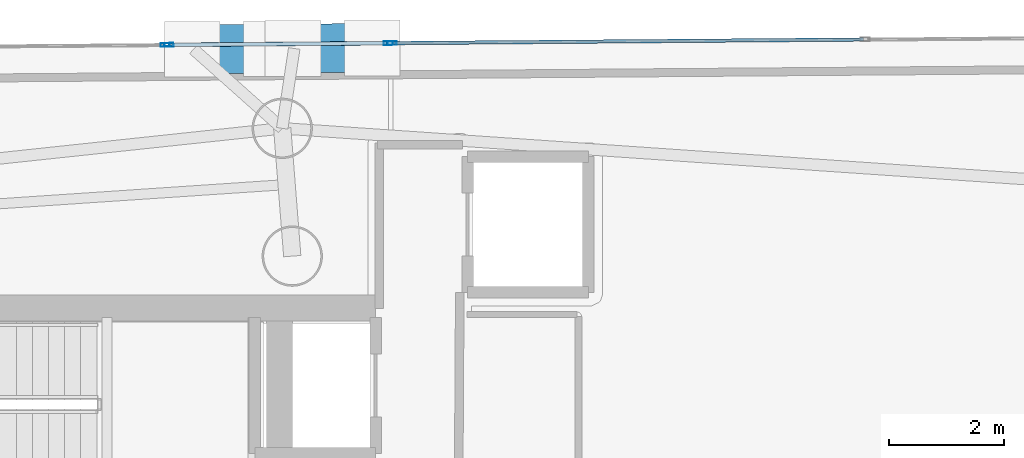
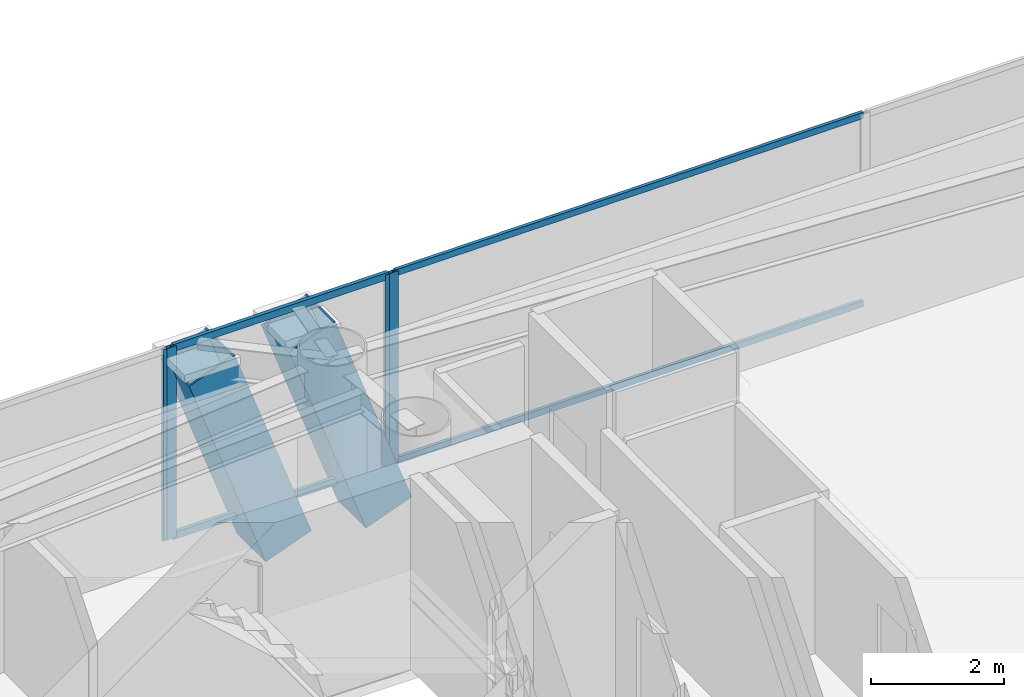
# One storey, part 11 of 21: 10 members, 3 elements without a shape of their own.
"""IFC4 building model written with IfcOpenShell, lengths in metres."""

from ifc_helpers import new_model, si_unit, direction, frame, origin, origin_2d, place, context, subcontext, project, spatial, hollow_rectangle, extrude, material, layer, layer_set, material_profile, profile_set, type_object, element, aggregate, save


model = new_model("IFC4")

# Units and contexts
model_context = context("Model", 3, precision=1e-05, world=origin(), true_north=direction((0.0, 1.0)))
body_context = subcontext(model_context, "Body", "Model", "MODEL_VIEW")
ifc_project = project(units=[si_unit("LENGTHUNIT", "METRE"), si_unit("AREAUNIT", "SQUARE_METRE"), si_unit("VOLUMEUNIT", "CUBIC_METRE"), si_unit("PLANEANGLEUNIT", "RADIAN"), si_unit("MASSUNIT", "GRAM", prefix="KILO")], contexts=[model_context])

# Site, building, storey
site_placement = place(None, origin())
site = spatial("IfcSite", under=ifc_project, at=site_placement, CompositionType="ELEMENT")
building_placement = place(site_placement, origin())
building = spatial("IfcBuilding", under=site, at=building_placement, Name="Qianvela Tower", CompositionType="ELEMENT")
storey_placement = place(building_placement, frame((0.0, 0.0, 253.800048828125)))
storey = spatial("IfcBuildingStorey", under=building, at=storey_placement, Name="L65", CompositionType="ELEMENT", Elevation=253.800048828125)

# Curtain wall, members
ifc_material_1 = material(Name="Anodised Architectural Aluminium and Insulated Spandrel Panel", Category="aluminium")
ifc_layer_1 = layer(ifc_material_1, 0.179931640625)
ifc_layer_set_1 = layer_set([ifc_layer_1], Name="Anodised Architectural Aluminium and Insulated Spandrel Panel")
curtain_wall_type_1 = type_object("IfcCurtainWallType", Name="CW-BRACEBAY", PredefinedType="USERDEFINED", material=ifc_layer_set_1)
curtain_wall_1_placement = place(storey_placement, origin())
curtain_wall_1 = element("IfcCurtainWall", 1, at=curtain_wall_1_placement, inside=storey, type_object=curtain_wall_type_1, Name="L65 CW-BRACEBAY Curtain Wall 02B", ObjectType="CURTAIN_WALL_SYSTEM", PredefinedType="USERDEFINED")
ifc_material_2 = material(Name="Anodised Architectural Aluminium 6063-T6", Category="aluminium")
ifc_material_profile_1 = material_profile(ifc_material_2, hollow_rectangle(XDim=0.06494140625, YDim=0.159912109375, WallThickness=0.0048828125, at=origin_2d()), Name="ALU-MULL-65x160")
ifc_profile_set_1 = profile_set([ifc_material_profile_1], Name="Anodised Architectural Aluminium 6063-T6")
member_type_1 = type_object("IfcMemberType", Name="CW-BRACEBAY-MULL", PredefinedType="MULLION", material=ifc_profile_set_1)
member_1_placement = place(storey_placement, frame((40.0693359375, 37.254150390625, 0.0), z_axis=(0.0, 0.0, 1.0), x_axis=(0.007783469983, -0.999969708339, 0.0)))
member_1 = element("IfcMember", 2, at=member_1_placement, type_object=member_type_1, Name="CW-9 mullion 1", PredefinedType="MULLION", context=body_context, shape_type="SweptSolid", body=[
    extrude(hollow_rectangle(XDim=0.06494140625, YDim=0.159912109375, WallThickness=0.0048828125, at=origin_2d()), origin(), (0.0, 0.0, 1.0), 3.52001953125),
])
member_2_placement = place(storey_placement, frame((36.25439453125, 37.224609375, 0.0), z_axis=(0.0, 0.0, 1.0), x_axis=(0.007783469983, -0.999969708339, 0.0)))
member_2 = element("IfcMember", 3, at=member_2_placement, type_object=member_type_1, Name="CW-9 mullion 2", PredefinedType="MULLION", context=body_context, shape_type="SweptSolid", body=[
    extrude(hollow_rectangle(XDim=0.06494140625, YDim=0.159912109375, WallThickness=0.0048828125, at=origin_2d()), origin(), (0.0, 0.0, 1.0), 3.52001953125),
])
ifc_material_3 = material(Name="Anodised Architectural Aluminium 6063-T6", Category="aluminium")
ifc_material_profile_2 = material_profile(ifc_material_3, hollow_rectangle(XDim=0.06494140625, YDim=0.1298828125, WallThickness=0.00439453125, at=origin_2d()), Name="ALU-TRAN-65x130")
ifc_profile_set_2 = profile_set([ifc_material_profile_2], Name="Anodised Architectural Aluminium 6063-T6")
member_type_2 = type_object("IfcMemberType", Name="CW-BRACEBAY-TRAN", PredefinedType="USERDEFINED", material=ifc_profile_set_2)
member_3_placement = place(storey_placement, frame((40.036865234375, 37.25390625, 0.032470703125), z_axis=(-0.999969986372, -0.007747667711, 0.0), x_axis=(0.007747667711, -0.999969986372, 0.0)))
member_3 = element("IfcMember", 4, at=member_3_placement, type_object=member_type_2, Name="CW-9 transom 1.1", ObjectType="TRANSOM", PredefinedType="USERDEFINED", context=body_context, shape_type="SweptSolid", body=[
    extrude(hollow_rectangle(XDim=0.06494140625, YDim=0.1298828125, WallThickness=0.00439453125, at=origin_2d()), origin(), (0.0, 0.0, 1.0), 3.749755859375),
])
member_4_placement = place(storey_placement, frame((40.036865234375, 37.25390625, 3.487548828125), z_axis=(-0.999969986372, -0.007747667711, 0.0), x_axis=(0.007747667711, -0.999969986372, 0.0)))
member_4 = element("IfcMember", 5, at=member_4_placement, type_object=member_type_2, Name="CW-9 transom 1.2", ObjectType="TRANSOM", PredefinedType="USERDEFINED", context=body_context, shape_type="SweptSolid", body=[
    extrude(hollow_rectangle(XDim=0.06494140625, YDim=0.1298828125, WallThickness=0.00439453125, at=origin_2d()), origin(), (0.0, 0.0, 1.0), 3.749755859375),
])
aggregate(curtain_wall_1, [member_1, member_2, member_3, member_4])

# Curtain wall, member
ifc_material_4 = material(Name="Anodised Architectural Aluminium and Low-E Glass", Category="aluminium")
ifc_layer_2 = layer(ifc_material_4, 0.159912109375)
ifc_layer_set_2 = layer_set([ifc_layer_2], Name="Anodised Architectural Aluminium and Low-E Glass")
curtain_wall_type_2 = type_object("IfcCurtainWallType", Name="CW-COLIV-Z56", PredefinedType="USERDEFINED", material=ifc_layer_set_2)
curtain_wall_2_placement = place(storey_placement, origin())
curtain_wall_2 = element("IfcCurtainWall", 6, at=curtain_wall_2_placement, inside=storey, type_object=curtain_wall_type_2, Name="L65 CW-COLIV-Z56 Curtain Wall 02A", ObjectType="CURTAIN_WALL_SYSTEM", PredefinedType="USERDEFINED")
ifc_material_5 = material(Name="Anodised Architectural Aluminium 6063-T6", Category="aluminium")
ifc_material_profile_3 = material_profile(ifc_material_5, hollow_rectangle(XDim=0.06494140625, YDim=0.159912109375, WallThickness=0.0048828125, at=origin_2d()), Name="ALU-MULL-65x160")
ifc_profile_set_3 = profile_set([ifc_material_profile_3], Name="Anodised Architectural Aluminium 6063-T6")
member_type_3 = type_object("IfcMemberType", Name="CW-COLIV-Z56-MULL", PredefinedType="MULLION", material=ifc_profile_set_3)
member_5_placement = place(storey_placement, frame((40.13427734375, 37.254638671875, 0.0), z_axis=(0.0, 0.0, 1.0), x_axis=(0.00780399115, -0.999969548397, 0.0)))
member_5 = element("IfcMember", 7, at=member_5_placement, type_object=member_type_3, Name="CW-5 mullion 3", PredefinedType="MULLION", context=body_context, shape_type="SweptSolid", body=[
    extrude(hollow_rectangle(XDim=0.06494140625, YDim=0.159912109375, WallThickness=0.0048828125, at=origin_2d()), origin(), (0.0, 0.0, 1.0), 3.52001953125),
])

curtain_wall_3_placement = place(storey_placement, origin())
curtain_wall_3 = element("IfcCurtainWall", 8, at=curtain_wall_3_placement, inside=storey, type_object=curtain_wall_type_2, Name="L65 CW-COLIV-Z56 Curtain Wall 02C", ObjectType="CURTAIN_WALL_SYSTEM", PredefinedType="USERDEFINED")
member_6_placement = place(storey_placement, frame((36.189453125, 37.22412109375, 0.0), z_axis=(0.0, 0.0, 1.0), x_axis=(0.007803521427, -0.999969552063, 0.0)))
member_6 = element("IfcMember", 9, at=member_6_placement, type_object=member_type_3, Name="CW-5 mullion 1", PredefinedType="MULLION", context=body_context, shape_type="SweptSolid", body=[
    extrude(hollow_rectangle(XDim=0.06494140625, YDim=0.159912109375, WallThickness=0.0048828125, at=origin_2d()), origin(), (0.0, 0.0, 1.0), 3.52001953125),
])
aggregate(curtain_wall_3, [member_6])

# Member
ifc_material_6 = material(Name="Anodised Architectural Aluminium 6063-T6", Category="aluminium")
ifc_material_profile_4 = material_profile(ifc_material_6, hollow_rectangle(XDim=0.06005859375, YDim=0.114990234375, WallThickness=0.00390625, at=origin_2d()), Name="ALU-TRAN-60x115")
ifc_profile_set_4 = profile_set([ifc_material_profile_4], Name="Anodised Architectural Aluminium 6063-T6")
member_type_4 = type_object("IfcMemberType", Name="CW-COLIV-Z56-TRAN", PredefinedType="USERDEFINED", material=ifc_profile_set_4)
member_7_placement = place(storey_placement, frame((48.334228515625, 37.31884765625, 0.030029296875), z_axis=(-0.999969565859, -0.007801753406, 0.0), x_axis=(0.007801753406, -0.999969565859, 0.0)))
member_7 = element("IfcMember", 10, at=member_7_placement, type_object=member_type_4, Name="CW-5 transom 2.1", ObjectType="TRANSOM", PredefinedType="USERDEFINED", context=body_context, shape_type="SweptSolid", body=[
    extrude(hollow_rectangle(XDim=0.06005859375, YDim=0.114990234375, WallThickness=0.00390625, at=origin_2d()), origin(), (0.0, 0.0, 1.0), 8.16748046875),
])

member_8_placement = place(storey_placement, frame((48.334228515625, 37.31884765625, 3.489990234375), z_axis=(-0.999969565859, -0.007801753406, 0.0), x_axis=(0.007801753406, -0.999969565859, 0.0)))
member_8 = element("IfcMember", 11, at=member_8_placement, type_object=member_type_4, Name="CW-5 transom 2.2", ObjectType="TRANSOM", PredefinedType="USERDEFINED", context=body_context, shape_type="SweptSolid", body=[
    extrude(hollow_rectangle(XDim=0.06005859375, YDim=0.114990234375, WallThickness=0.00390625, at=origin_2d()), origin(), (0.0, 0.0, 1.0), 8.16748046875),
])

aggregate(curtain_wall_2, [member_5, member_7, member_8])

# Members
ifc_material_7 = material(Name="Steel Q420GJC", Category="steel")
ifc_material_profile_5 = material_profile(ifc_material_7, hollow_rectangle(XDim=0.85009765625, YDim=0.85009765625, WallThickness=0.031982421875, at=origin_2d()), Name="MBOX-850x850x32")
ifc_profile_set_5 = profile_set([ifc_material_profile_5], Name="Steel Q420GJC")
member_type_5 = type_object("IfcMemberType", Name="MBR-MBRACE-850", PredefinedType="BRACE", material=ifc_profile_set_5)
for number, where, z_axis, x_axis, name in (
    (12, (39.770263671875, 37.172119140625, -0.48193359375), (-0.339663080098, -0.002668648355, 0.94054339099), (0.007856508843, -0.999969137158, 0.0), "L65 Tier 11 Exterior Mega-Brace F1A"),
    (13, (38.01806640625, 37.158203125, -0.48193359375), (-0.339718035451, -0.002606532241, 0.940523717074), (0.00767240844, -0.999970566641, 0.0), "L65 Tier 11 Exterior Mega-Brace F1B"),
):
    element("IfcMember", number, at=place(storey_placement, frame(where, z_axis=z_axis, x_axis=x_axis)), inside=storey, type_object=member_type_5, Name=name, PredefinedType="BRACE", context=body_context, shape_type="SweptSolid", body=[
        extrude(hollow_rectangle(XDim=0.85009765625, YDim=0.85009765625, WallThickness=0.031982421875, at=origin_2d()), origin(), (0.0, 0.0, 1.0), 3.933837890625),
    ])

save(model, "model.ifc")
